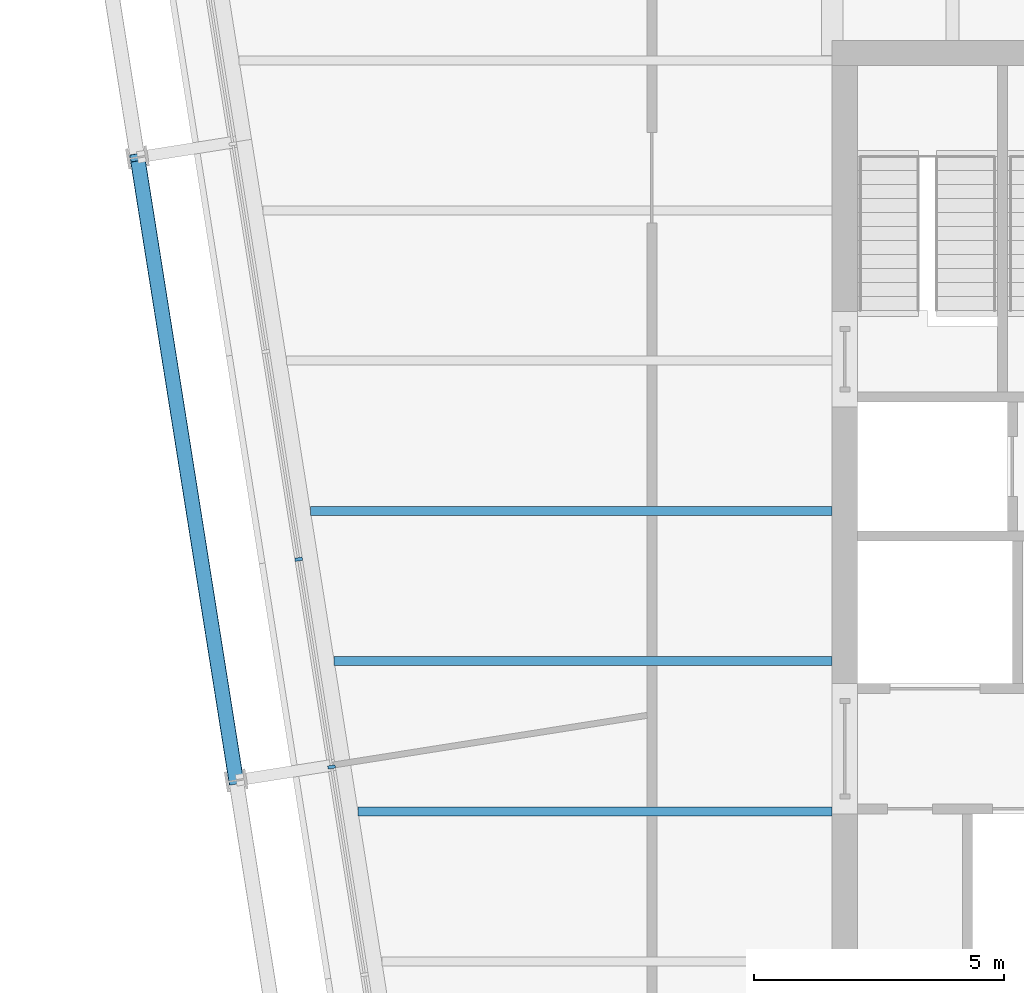
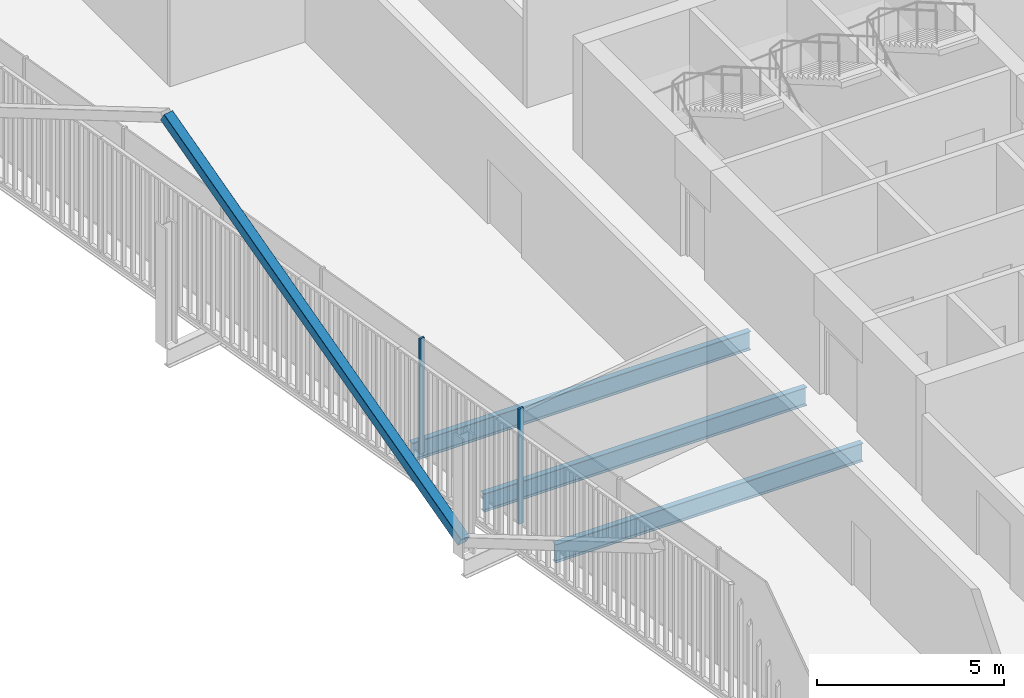
# One storey, part 5 of 21: 3 beams, 3 members, 1 element without a shape of its own.
"""IFC4 building model written with IfcOpenShell, lengths in metres."""

from ifc_helpers import new_model, si_unit, direction, frame, origin, origin_2d, place, context, subcontext, project, spatial, rectangle, hollow_rectangle, i_section, extrude, material, layer, layer_set, material_profile, profile_set, type_object, element, aggregate, save


model = new_model("IFC4")

# Units and contexts
model_context = context("Model", 3, precision=1e-05, world=origin(), true_north=direction((0.0, 1.0)))
body_context = subcontext(model_context, "Body", "Model", "MODEL_VIEW")
ifc_project = project(units=[si_unit("LENGTHUNIT", "METRE"), si_unit("AREAUNIT", "SQUARE_METRE"), si_unit("VOLUMEUNIT", "CUBIC_METRE"), si_unit("PLANEANGLEUNIT", "RADIAN"), si_unit("MASSUNIT", "GRAM", prefix="KILO")], contexts=[model_context])

# Site, building, storey
site_placement = place(None, origin())
site = spatial("IfcSite", under=ifc_project, at=site_placement, CompositionType="ELEMENT")
building_placement = place(site_placement, origin())
building = spatial("IfcBuilding", under=site, at=building_placement, Name="Millrace Tower", CompositionType="ELEMENT")
storey_placement = place(building_placement, frame((0.0, 0.0, 247.39990234375)))
storey = spatial("IfcBuildingStorey", under=building, at=storey_placement, Name="L56", CompositionType="ELEMENT", Elevation=247.39990234375)

# Curtain wall, members
ifc_material_1 = material(Name="Aluminium and glass", Category="aluminium")
ifc_layer = layer(ifc_material_1, 0.14990234375)
ifc_layer_set = layer_set([ifc_layer], Name="Aluminium and glass")
curtain_wall_type = type_object("IfcCurtainWallType", Name="CW-1 office vision curtain wall", PredefinedType="NOTDEFINED", material=ifc_layer_set)
curtain_wall_placement = place(storey_placement, origin())
curtain_wall = element("IfcCurtainWall", 1, at=curtain_wall_placement, inside=storey, type_object=curtain_wall_type, Name="Curtain wall D-F08 L56", PredefinedType="NOTDEFINED")
ifc_material_2 = material(Name="Aluminium", Category="aluminium")
ifc_material_profile_1 = material_profile(ifc_material_2, rectangle(XDim=0.06494140625, YDim=0.14990234375, at=origin_2d()))
ifc_profile_set_1 = profile_set([ifc_material_profile_1], Name="Aluminium")
member_type_1 = type_object("IfcMemberType", Name="CW-1 office vision curtain wall mullion", PredefinedType="MULLION", material=ifc_profile_set_1)
member_1_placement = place(storey_placement, frame((-25.057373046875, -0.966064453125, 0.14013671875), z_axis=(0.0, 0.0, 1.0), x_axis=(0.156434471884, -0.987688339511, 0.0)))
member_1 = element("IfcMember", 2, at=member_1_placement, type_object=member_type_1, Name="CW1 mullion D-F08.6", PredefinedType="MULLION", context=body_context, shape_type="SweptSolid", body=[
    extrude(rectangle(XDim=0.06494140625, YDim=0.14990234375, at=origin_2d()), origin(), (0.0, 0.0, 1.0), 3.760009765625),
])
member_2_placement = place(storey_placement, frame((-24.400390625, -5.1142578125, 0.14013671875), z_axis=(0.0, 0.0, 1.0), x_axis=(0.156434471884, -0.987688339511, 0.0)))
member_2 = element("IfcMember", 3, at=member_2_placement, type_object=member_type_1, Name="CW1 mullion D-F08.7", PredefinedType="MULLION", context=body_context, shape_type="SweptSolid", body=[
    extrude(rectangle(XDim=0.06494140625, YDim=0.14990234375, at=origin_2d()), origin(), (0.0, 0.0, 1.0), 3.760009765625),
])
aggregate(curtain_wall, [member_1, member_2])

# Member
ifc_material_3 = material(Name="Steel ASTM A500 Grade C", Category="steel")
ifc_material_profile_2 = material_profile(ifc_material_3, hollow_rectangle(XDim=0.3046875, YDim=0.3046875, WallThickness=0.009521484375, InnerFilletRadius=0.004638671875, OuterFilletRadius=0.014404296875, at=origin_2d()))
ifc_profile_set_2 = profile_set([ifc_material_profile_2], Name="Steel ASTM A500 Grade C")
member_type_2 = type_object("IfcMemberType", Name="Exoskeleton brace HSS12x12x3/8", PredefinedType="BRACE", material=ifc_profile_set_2)
member_3_placement = place(storey_placement, frame((-26.306640625, -5.38330078125, 0.400146484375), z_axis=(-0.136756701563, 0.863393126764, 0.485643813132), x_axis=(-0.987686809102, -0.1564441342, 0.0)))
element("IfcMember", 4, at=member_3_placement, inside=storey, type_object=member_type_2, Name="BRC-D-L56-15", PredefinedType="BRACE", context=body_context, shape_type="SweptSolid", body=[
    extrude(hollow_rectangle(XDim=0.3046875, YDim=0.3046875, WallThickness=0.009521484375, InnerFilletRadius=0.004638671875, OuterFilletRadius=0.014404296875, at=origin_2d()), origin(), (0.0, 0.0, 1.0), 14.413818359375),
])

# Beams
ifc_material_4 = material(Name="Steel ASTM A992 Grade 50", Category="steel")
ifc_material_profile_3 = material_profile(ifc_material_4, i_section(OverallWidth=0.177978515625, OverallDepth=0.599365234375, WebThickness=0.010009765625, FlangeThickness=0.012939453125, FilletRadius=0.012939453125, at=origin_2d()))
ifc_profile_set_3 = profile_set([ifc_material_profile_3], Name="Steel ASTM A992 Grade 50")
beam_type_1 = type_object("IfcBeamType", Name="Floor beam W24x55", PredefinedType="JOIST", material=ifc_profile_set_3)
beam_1_placement = place(storey_placement, frame((-23.872802734375, -6.0, -0.459716796875), z_axis=(1.0, 0.0, 0.0), x_axis=(0.0, 1.0, 0.0)))
element("IfcBeam", 5, at=beam_1_placement, inside=storey, type_object=beam_type_1, Name="BM-D-L56-S1-S009", PredefinedType="JOIST", context=body_context, shape_type="SweptSolid", body=[
    extrude(i_section(OverallWidth=0.177978515625, OverallDepth=0.599365234375, WebThickness=0.010009765625, FlangeThickness=0.012939453125, FilletRadius=0.012939453125, at=origin_2d()), origin(), (0.0, 0.0, 1.0), 9.472900390625),
])
beam_2_placement = place(storey_placement, frame((-24.34814453125, -3.0, -0.459716796875), z_axis=(1.0, 0.0, 0.0), x_axis=(0.0, 1.0, 0.0)))
element("IfcBeam", 6, at=beam_2_placement, inside=storey, type_object=beam_type_1, Name="BM-D-L56-S1-S012", PredefinedType="JOIST", context=body_context, shape_type="SweptSolid", body=[
    extrude(i_section(OverallWidth=0.177978515625, OverallDepth=0.599365234375, WebThickness=0.010009765625, FlangeThickness=0.012939453125, FilletRadius=0.012939453125, at=origin_2d()), origin(), (0.0, 0.0, 1.0), 9.9482421875),
])
ifc_material_5 = material(Name="Steel ASTM A992 Grade 50", Category="steel")
ifc_material_profile_4 = material_profile(ifc_material_5, i_section(OverallWidth=0.1787109375, OverallDepth=0.60205078125, WebThickness=0.010986328125, FlangeThickness=0.014892578125, FilletRadius=0.0126953125, at=origin_2d()))
ifc_profile_set_4 = profile_set([ifc_material_profile_4], Name="Steel ASTM A992 Grade 50")
beam_type_2 = type_object("IfcBeamType", Name="Floor beam W24x62", PredefinedType="JOIST", material=ifc_profile_set_4)
beam_3_placement = place(storey_placement, frame((-24.8232421875, 0.0, -0.4609375), z_axis=(1.0, 0.0, 0.0), x_axis=(0.0, 1.0, 0.0)))
element("IfcBeam", 7, at=beam_3_placement, inside=storey, type_object=beam_type_2, Name="BM-D-L56-S1-S015", PredefinedType="JOIST", context=body_context, shape_type="SweptSolid", body=[
    extrude(i_section(OverallWidth=0.1787109375, OverallDepth=0.60205078125, WebThickness=0.010986328125, FlangeThickness=0.014892578125, FilletRadius=0.0126953125, at=origin_2d()), origin(), (0.0, 0.0, 1.0), 10.42333984375),
])

save(model, "model.ifc")
